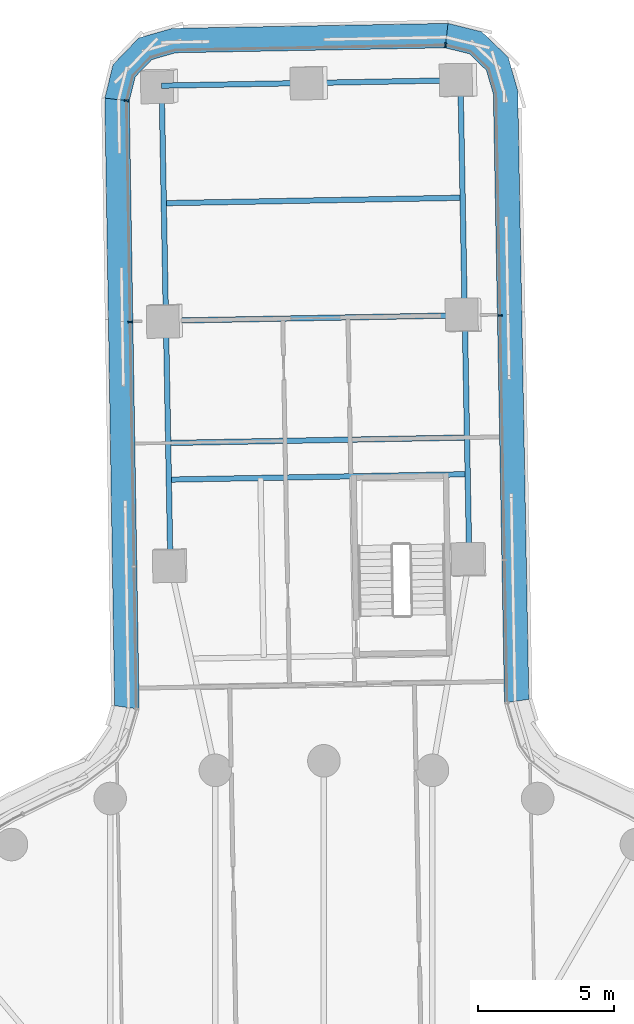
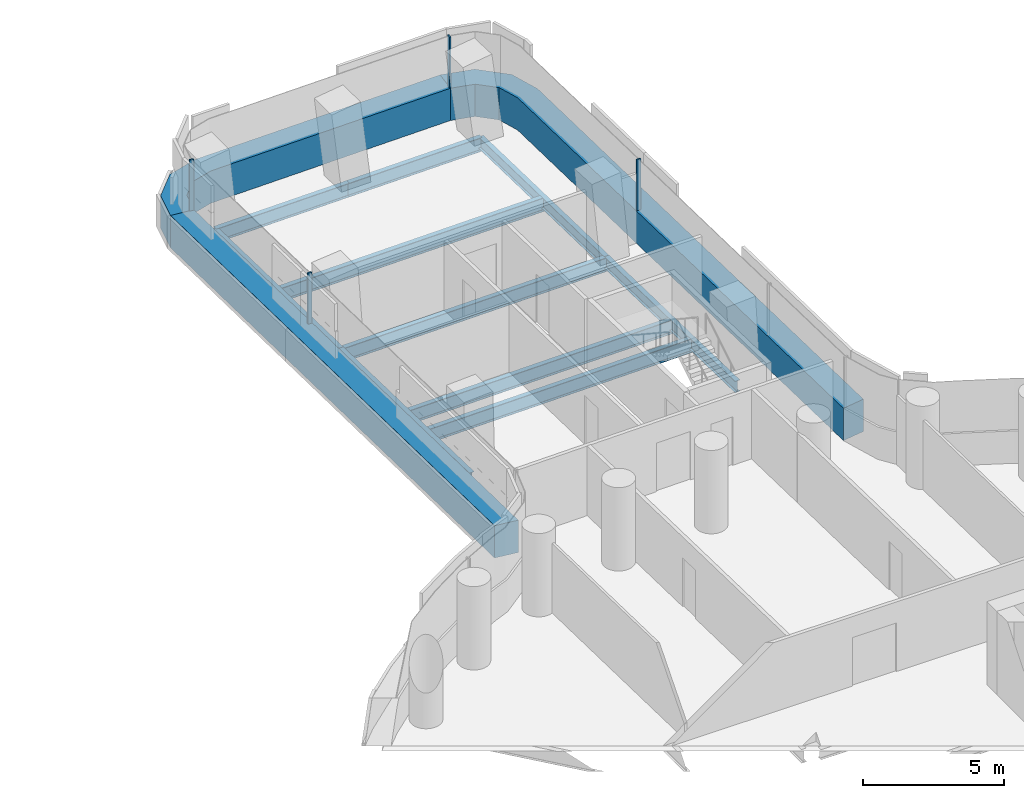
# One storey, part 15 of 31: 10 beams, 7 members, 3 elements without a shape of their own.
"""IFC4 building model written with IfcOpenShell, lengths in metres."""

from ifc_helpers import new_model, si_unit, direction, frame, origin, origin_2d, place, context, subcontext, project, spatial, polyline, rectangle, i_section, outline, extrude, material, layer, layer_set, material_profile, profile_set, type_object, element, aggregate, save


model = new_model("IFC4")

# Units and contexts
model_context = context("Model", 3, precision=1e-05, world=origin(), true_north=direction((0.0, 1.0)))
body_context = subcontext(model_context, "Body", "Model", "MODEL_VIEW")
ifc_project = project(units=[si_unit("LENGTHUNIT", "METRE"), si_unit("AREAUNIT", "SQUARE_METRE"), si_unit("VOLUMEUNIT", "CUBIC_METRE"), si_unit("PLANEANGLEUNIT", "RADIAN"), si_unit("MASSUNIT", "GRAM", prefix="KILO")], contexts=[model_context])

# Site, building, storey
site_placement = place(None, origin())
site = spatial("IfcSite", under=ifc_project, at=site_placement, CompositionType="ELEMENT")
building_placement = place(site_placement, origin())
building = spatial("IfcBuilding", under=site, at=building_placement, Name="Tamarind Cross Interchange Tower", CompositionType="ELEMENT")
storey_placement = place(building_placement, frame((0.0, 0.0, 37.75)))
storey = spatial("IfcBuildingStorey", under=building, at=storey_placement, Name="L07", CompositionType="ELEMENT", Elevation=37.75)

# Beams
ifc_material_1 = material(Name="Steel Q355B", Category="steel")
ifc_material_profile_1 = material_profile(ifc_material_1, i_section(OverallWidth=0.198974609375, OverallDepth=0.49609375, WebThickness=0.009033203125, FlangeThickness=0.013916015625, FilletRadius=0.012939453125, at=origin_2d()), Name="HN 496x199x9x14")
ifc_profile_set_1 = profile_set([ifc_material_profile_1], Name="Steel Q355B")
beam_type_1 = type_object("IfcBeamType", Name="Composite beam HN 496x199x9x14 Q355B", PredefinedType="BEAM", material=ifc_profile_set_1)
beam_1_placement = place(storey_placement, frame((5.02587890625, 48.048828125, -0.387939453125), z_axis=(0.018227020054, -0.999833874071, 0.0), x_axis=(0.999833874071, 0.018227020054, 0.0)))
element("IfcBeam", 1, at=beam_1_placement, inside=storey, type_object=beam_type_1, Name="Beam N-edgeem5", PredefinedType="BEAM", context=body_context, shape_type="SweptSolid", body=[
    extrude(i_section(OverallWidth=0.198974609375, OverallDepth=0.49609375, WebThickness=0.009033203125, FlangeThickness=0.013916015625, FilletRadius=0.012939453125, at=origin_2d()), origin(), (0.0, 0.0, 1.0), 8.65283203125),
])
beam_2_placement = place(storey_placement, frame((5.18359375, 39.3974609375, -0.387939453125), z_axis=(0.018229104613, -0.999833836067, 0.0), x_axis=(0.999833836067, 0.018229104613, 0.0)))
element("IfcBeam", 2, at=beam_2_placement, inside=storey, type_object=beam_type_1, Name="Beam N-edgeem6", PredefinedType="BEAM", context=body_context, shape_type="SweptSolid", body=[
    extrude(i_section(OverallWidth=0.198974609375, OverallDepth=0.49609375, WebThickness=0.009033203125, FlangeThickness=0.013916015625, FilletRadius=0.012939453125, at=origin_2d()), origin(), (0.0, 0.0, 1.0), 9.0),
])
beam_3_placement = place(storey_placement, frame((-5.972412109375, 47.84814453125, -0.387939453125), z_axis=(0.01825522586, -0.99983335948, 0.0), x_axis=(0.99983335948, 0.01825522586, 0.0)))
element("IfcBeam", 3, at=beam_3_placement, inside=storey, type_object=beam_type_1, Name="Beam N-edgeep2", PredefinedType="BEAM", context=body_context, shape_type="SweptSolid", body=[
    extrude(i_section(OverallWidth=0.198974609375, OverallDepth=0.49609375, WebThickness=0.009033203125, FlangeThickness=0.013916015625, FilletRadius=0.012939453125, at=origin_2d()), origin(), (0.0, 0.0, 1.0), 8.65283203125),
])
beam_4_placement = place(storey_placement, frame((-5.814453125, 39.19677734375, -0.387939453125), z_axis=(0.018229104613, -0.999833836067, 0.0), x_axis=(0.999833836067, 0.018229104613, 0.0)))
element("IfcBeam", 4, at=beam_4_placement, inside=storey, type_object=beam_type_1, Name="Beam N-edgeep3", PredefinedType="BEAM", context=body_context, shape_type="SweptSolid", body=[
    extrude(i_section(OverallWidth=0.198974609375, OverallDepth=0.49609375, WebThickness=0.009033203125, FlangeThickness=0.013916015625, FilletRadius=0.012939453125, at=origin_2d()), origin(), (0.0, 0.0, 1.0), 9.0),
])
ifc_material_profile_2 = material_profile(ifc_material_1, i_section(OverallWidth=0.199951171875, OverallDepth=0.60009765625, WebThickness=0.010986328125, FlangeThickness=0.01708984375, FilletRadius=0.012939453125, at=origin_2d()), Name="HN 600x200x11x17")
ifc_profile_set_2 = profile_set([ifc_material_profile_2], Name="Steel Q355B")
beam_type_2 = type_object("IfcBeamType", Name="Composite beam HN 600x200x11x17 Q355B", PredefinedType="BEAM", material=ifc_profile_set_2)
beam_5_placement = place(storey_placement, frame((5.02587890625, 48.048828125, -0.43994140625), z_axis=(-0.999833561354, -0.018244165944, 0.0), x_axis=(0.018244165944, -0.999833561354, 0.0)))
element("IfcBeam", 5, at=beam_5_placement, inside=storey, type_object=beam_type_2, Name="Beam N-tip0", PredefinedType="BEAM", context=body_context, shape_type="SweptSolid", body=[
    extrude(i_section(OverallWidth=0.199951171875, OverallDepth=0.60009765625, WebThickness=0.010986328125, FlangeThickness=0.01708984375, FilletRadius=0.012939453125, at=origin_2d()), origin(), (0.0, 0.0, 1.0), 5.5),
])
beam_6_placement = place(storey_placement, frame((-0.47314453125, 47.948486328125, -0.43994140625), z_axis=(-0.999833576128, -0.018243356261, 0.0), x_axis=(0.018243356261, -0.999833576128, 0.0)))
element("IfcBeam", 6, at=beam_6_placement, inside=storey, type_object=beam_type_2, Name="Beam N-tip1", PredefinedType="BEAM", context=body_context, shape_type="SweptSolid", body=[
    extrude(i_section(OverallWidth=0.199951171875, OverallDepth=0.60009765625, WebThickness=0.010986328125, FlangeThickness=0.01708984375, FilletRadius=0.012939453125, at=origin_2d()), origin(), (0.0, 0.0, 1.0), 5.500244140625),
])
for number, where, z_axis, x_axis, name in (
    (7, (5.290283203125, 33.54833984375, -0.43994140625), (-0.999833965967, -0.018221978469, 0.0), (0.018221978469, -0.999833965967, 0.0), "Beam N-x334"),
    (8, (5.18359375, 39.3974609375, -0.43994140625), (-0.999833561354, -0.018244165944, 0.0), (0.018244165944, -0.999833561354, 0.0), "Beam N-x393"),
    (9, (5.265625, 34.898193359375, -0.43994140625), (-0.999833561354, -0.018244165944, 0.0), (0.018244165944, -0.999833561354, 0.0), "Beam N-x348"),
    (10, (5.104736328125, 43.72314453125, -0.43994140625), (-0.999833561354, -0.018244165944, 0.0), (0.018244165944, -0.999833561354, 0.0), "Beam N-x436"),
):
    element("IfcBeam", number, at=place(storey_placement, frame(where, z_axis=z_axis, x_axis=x_axis)), inside=storey, type_object=beam_type_2, Name=name, PredefinedType="BEAM", context=body_context, shape_type="SweptSolid", body=[
        extrude(i_section(OverallWidth=0.199951171875, OverallDepth=0.60009765625, WebThickness=0.010986328125, FlangeThickness=0.01708984375, FilletRadius=0.012939453125, at=origin_2d()), origin(), (0.0, 0.0, 1.0), 10.999755859375),
    ])

# Curtain wall, member
ifc_material_2 = material(Name="Aluminium 6063-T6", Category="aluminium")
ifc_layer = layer(ifc_material_2, 0.159912109375)
ifc_layer_set = layer_set([ifc_layer], Name="Aluminium 6063-T6")
curtain_wall_type = type_object("IfcCurtainWallType", Name="Office curtain wall, 9.0 m bays", PredefinedType="NOTDEFINED", material=ifc_layer_set)
curtain_wall_1_placement = place(storey_placement, origin())
curtain_wall_1 = element("IfcCurtainWall", 11, at=curtain_wall_1_placement, inside=storey, type_object=curtain_wall_type, Name="CWS-L07-00", PredefinedType="NOTDEFINED")
ifc_material_3 = material(Name="Aluminium and insulated spandrel panel", Category="aluminium")
member_type_1 = type_object("IfcMemberType", Name="Floor-edge blade transom", PredefinedType="USERDEFINED", material=ifc_material_3)
member_1_placement = place(storey_placement, origin())
member_1 = element("IfcMember", 12, at=member_1_placement, type_object=member_type_1, Name="CWT-L07-00", ObjectType="TRANSOM", PredefinedType="USERDEFINED", context=body_context, shape_type="SweptSolid", body=[
    extrude(outline(polyline([(4.464599609375, 49.23876953125), (-5.454833984375, 49.057861328125), (-6.33447265625, 48.804931640625), (-6.94140625, 48.17529296875), (-7.162353515625, 47.28662109375), (-8.064208984375, 47.3896484375), (-7.7568359375, 48.62646484375), (-6.81494140625, 49.603271484375), (-5.589599609375, 49.95556640625), (4.566650390625, 50.140869140625), (4.464599609375, 49.23876953125)])), origin(), (0.0, 0.0, 1.0), 1.39990234375),
])

curtain_wall_2_placement = place(storey_placement, origin())
curtain_wall_2 = element("IfcCurtainWall", 13, at=curtain_wall_2_placement, inside=storey, type_object=curtain_wall_type, Name="CWS-L07-01", PredefinedType="NOTDEFINED")
member_2_placement = place(storey_placement, origin())
member_2 = element("IfcMember", 14, at=member_2_placement, type_object=member_type_1, Name="CWT-L07-01", ObjectType="TRANSOM", PredefinedType="USERDEFINED", context=body_context, shape_type="SweptSolid", body=[
    extrude(outline(polyline([(-7.162353515625, 47.28662109375), (-6.7998046875, 24.904052734375), (-7.701904296875, 25.026611328125), (-8.064208984375, 47.3896484375), (-7.162353515625, 47.28662109375)])), origin(), (0.0, 0.0, 1.0), 1.39990234375),
])

curtain_wall_3_placement = place(storey_placement, origin())
curtain_wall_3 = element("IfcCurtainWall", 15, at=curtain_wall_3_placement, inside=storey, type_object=curtain_wall_type, Name="CWS-L07-15", PredefinedType="NOTDEFINED")
member_3_placement = place(storey_placement, origin())
member_3 = element("IfcMember", 16, at=member_3_placement, type_object=member_type_1, Name="CWT-L07-15", ObjectType="TRANSOM", PredefinedType="USERDEFINED", context=body_context, shape_type="SweptSolid", body=[
    extrude(outline(polyline([(6.64404296875, 25.127197265625), (6.235595703125, 47.53125), (5.982421875, 48.4111328125), (5.35302734375, 49.01806640625), (4.464599609375, 49.23876953125), (4.566650390625, 50.140869140625), (5.803955078125, 49.833251953125), (6.78076171875, 48.8916015625), (7.13330078125, 47.666259765625), (7.541748046875, 25.264892578125), (6.64404296875, 25.127197265625)])), origin(), (0.0, 0.0, 1.0), 1.39990234375),
])

# Member
ifc_material_profile_3 = material_profile(ifc_material_2, rectangle(XDim=0.06005859375, YDim=0.159912109375, at=origin_2d()), Name="Mullion CW1")
ifc_profile_set_3 = profile_set([ifc_material_profile_3], Name="Aluminium 6063-T6")
member_type_2 = type_object("IfcMemberType", Name="Mullion CW1", PredefinedType="MULLION", material=ifc_profile_set_3)
member_4_placement = place(storey_placement, frame((4.475830078125, 49.339111328125, 1.39990234375), z_axis=(0.0, 0.0, 1.0), x_axis=(-0.993660066385, 0.112426297951, 0.0)))
member_4 = element("IfcMember", 17, at=member_4_placement, type_object=member_type_2, Name="CWM-L07-00-00", PredefinedType="MULLION", context=body_context, shape_type="SweptSolid", body=[
    extrude(rectangle(XDim=0.06005859375, YDim=0.159912109375, at=origin_2d()), origin(), (0.0, 0.0, 1.0), 2.210205078125),
])

aggregate(curtain_wall_1, [member_4, member_1])

member_5_placement = place(storey_placement, frame((-7.262451171875, 47.298095703125, 1.39990234375), z_axis=(0.0, 0.0, 1.0), x_axis=(-0.113439954409, -0.993544853916, 0.0)))
member_5 = element("IfcMember", 18, at=member_5_placement, type_object=member_type_2, Name="CWM-L07-01-00", PredefinedType="MULLION", context=body_context, shape_type="SweptSolid", body=[
    extrude(rectangle(XDim=0.06005859375, YDim=0.159912109375, at=origin_2d()), origin(), (0.0, 0.0, 1.0), 2.210205078125),
])

member_6_placement = place(storey_placement, frame((-7.130615234375, 39.144775390625, 1.39990234375), z_axis=(0.0, 0.0, 1.0), x_axis=(0.016194126045, -0.999868866543, 0.0)))
member_6 = element("IfcMember", 19, at=member_6_placement, type_object=member_type_2, Name="CWM-L07-01-01", PredefinedType="MULLION", context=body_context, shape_type="SweptSolid", body=[
    extrude(rectangle(XDim=0.06005859375, YDim=0.159912109375, at=origin_2d()), origin(), (0.0, 0.0, 1.0), 2.210205078125),
])

aggregate(curtain_wall_2, [member_5, member_6, member_2])

member_7_placement = place(storey_placement, frame((6.48388671875, 39.39453125, 1.39990234375), z_axis=(0.0, 0.0, 1.0), x_axis=(-0.018234189439, 0.999833743347, 0.0)))
member_7 = element("IfcMember", 20, at=member_7_placement, type_object=member_type_2, Name="CWM-L07-15-02", PredefinedType="MULLION", context=body_context, shape_type="SweptSolid", body=[
    extrude(rectangle(XDim=0.06005859375, YDim=0.159912109375, at=origin_2d()), origin(), (0.0, 0.0, 1.0), 2.210205078125),
])

aggregate(curtain_wall_3, [member_7, member_3])

save(model, "model.ifc")
